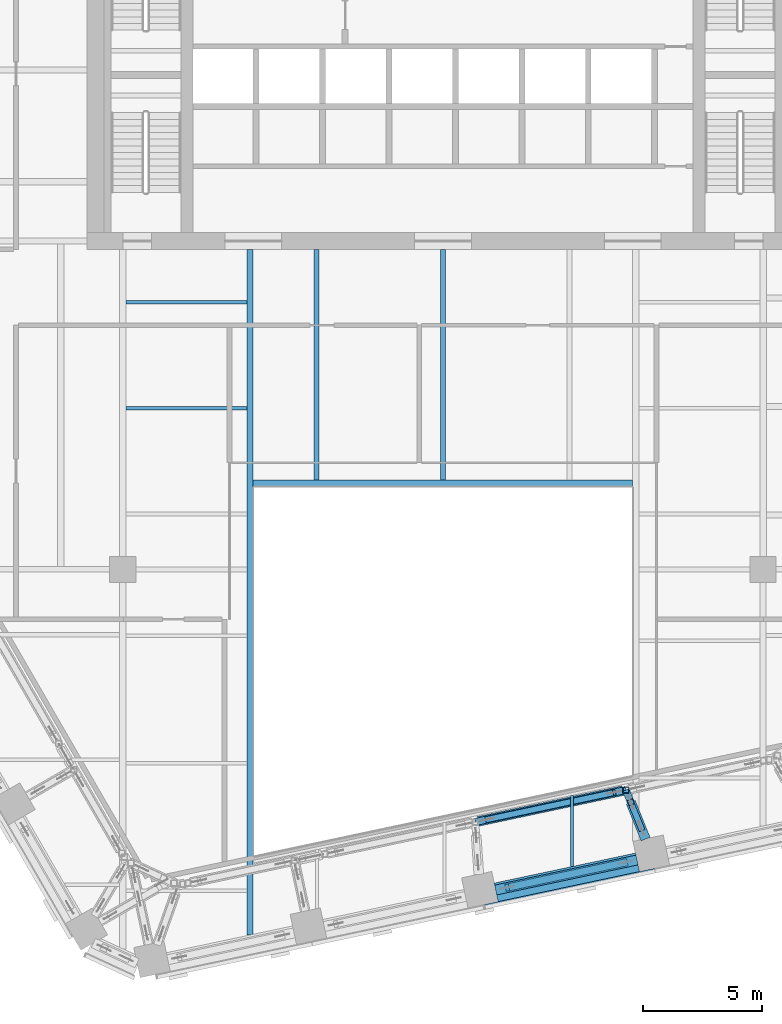
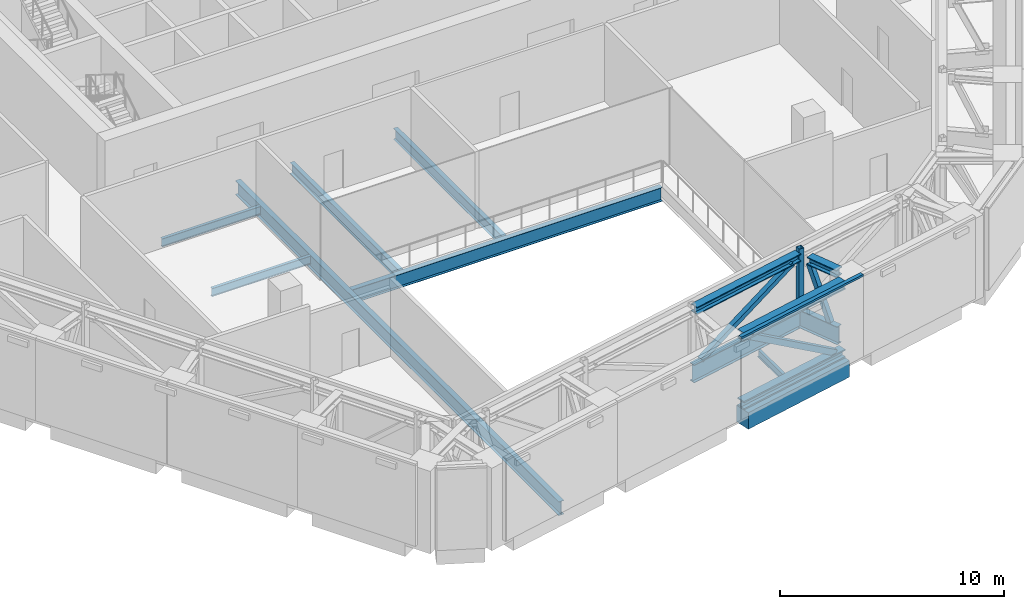
# One storey, part 5 of 26: 11 members, 8 beams, 1 element without a shape of its own.
"""IFC4 building model written with IfcOpenShell, lengths in metres."""

from ifc_helpers import new_model, si_unit, direction, frame, origin, origin_2d, place, context, subcontext, project, spatial, rectangle, hollow_rectangle, i_section, extrude, material, layer, layer_set, material_profile, profile_set, type_object, element, aggregate, save


model = new_model("IFC4")

# Units and contexts
model_context = context("Model", 3, precision=1e-05, world=origin(), true_north=direction((0.0, 1.0)))
body_context = subcontext(model_context, "Body", "Model", "MODEL_VIEW")
ifc_project = project(units=[si_unit("LENGTHUNIT", "METRE"), si_unit("AREAUNIT", "SQUARE_METRE"), si_unit("VOLUMEUNIT", "CUBIC_METRE"), si_unit("PLANEANGLEUNIT", "RADIAN"), si_unit("MASSUNIT", "GRAM", prefix="KILO")], contexts=[model_context])

# Site, building, storey
site_placement = place(None, origin())
site = spatial("IfcSite", under=ifc_project, at=site_placement, CompositionType="ELEMENT")
building_placement = place(site_placement, origin())
building = spatial("IfcBuilding", under=site, at=building_placement, Name="Isthmus Gate Tower", CompositionType="ELEMENT")
storey_placement = place(building_placement, frame((0.0, 0.0, 207.300048828125)))
storey = spatial("IfcBuildingStorey", under=building, at=storey_placement, Name="L52", CompositionType="ELEMENT", Elevation=207.300048828125)

# Members
ifc_material_1 = material(Name="Structural steel ASTM A913 Gr 65", Category="steel")
ifc_material_profile_1 = material_profile(ifc_material_1, i_section(OverallWidth=0.42236328125, OverallDepth=0.46337890625, WebThickness=0.04443359375, FlangeThickness=0.072998046875, at=origin_2d()), Name="W14X398")
ifc_profile_set_1 = profile_set([ifc_material_profile_1], Name="Structural steel ASTM A913 Gr 65")
member_type_1 = type_object("IfcMemberType", Name="BELT TRUSS CHORD W14X398", PredefinedType="CHORD", material=ifc_profile_set_1)
for number, where, z_axis, x_axis, name in (
    (1, (8.179443359375, -25.750244140625, 0.231689453125), (-0.978146012851, -0.207919161079, 0.0), (0.207919161079, -0.978146012851, 0.0), "str-belt12-L52-01"),
    (2, (8.179443359375, -25.750244140625, 3.96826171875), (-0.978146012851, -0.207919161079, 0.0), (0.207919161079, -0.978146012851, 0.0), "str-belt12-L52-02"),
):
    element("IfcMember", number, at=place(storey_placement, frame(where, z_axis=z_axis, x_axis=x_axis)), inside=storey, type_object=member_type_1, Name=name, PredefinedType="CHORD", context=body_context, shape_type="SweptSolid", body=[
        extrude(i_section(OverallWidth=0.42236328125, OverallDepth=0.46337890625, WebThickness=0.04443359375, FlangeThickness=0.072998046875, at=origin_2d()), origin(), (0.0, 0.0, 1.0), 6.090576171875),
    ])

# Curtain wall, member
ifc_material_2 = material(Name="Aluminium, pale champagne anodised", Category="aluminium")
ifc_layer = layer(ifc_material_2, 0.199951171875)
ifc_layer_set = layer_set([ifc_layer], Name="CW-2 LOUVRE CURTAIN WALL 200 DEEP")
curtain_wall_type = type_object("IfcCurtainWallType", Name="CW-2 LOUVRE CURTAIN WALL 200 DEEP", PredefinedType="NOTDEFINED", material=ifc_layer_set)
curtain_wall_placement = place(storey_placement, origin())
curtain_wall = element("IfcCurtainWall", 3, at=curtain_wall_placement, inside=storey, type_object=curtain_wall_type, Name="CW-2 S L52", PredefinedType="NOTDEFINED")
ifc_material_3 = material(Name="Aluminium, pale champagne anodised", Category="aluminium")
ifc_material_profile_2 = material_profile(ifc_material_3, rectangle(XDim=0.199951171875, YDim=0.110107421875, at=origin_2d()), Name="200x110")
ifc_profile_set_2 = profile_set([ifc_material_profile_2], Name="Aluminium, pale champagne anodised")
member_type_2 = type_object("IfcMemberType", Name="CW-2 TRANSOM 200 X 110", PredefinedType="USERDEFINED", material=ifc_profile_set_2)
member_1_placement = place(storey_placement, frame((1.76953125, -27.72607421875, 4.445068359375), z_axis=(0.978146152746, 0.207918502948, 0.0), x_axis=(-0.207918502948, 0.978146152746, 0.0)))
member_1 = element("IfcMember", 4, at=member_1_placement, type_object=member_type_2, Name="CW-2 transom", ObjectType="TRANSOM", PredefinedType="USERDEFINED", context=body_context, shape_type="SweptSolid", body=[
    extrude(rectangle(XDim=0.199951171875, YDim=0.110107421875, at=origin_2d()), origin(), (0.0, 0.0, 1.0), 7.33056640625),
])
aggregate(curtain_wall, [member_1])

# Beams
ifc_material_4 = material(Name="Concrete f'c 60 MPa", Category="concrete")
ifc_material_profile_3 = material_profile(ifc_material_4, rectangle(XDim=0.800048828125, YDim=0.89990234375, at=origin_2d()), Name="RC 800X900")
ifc_profile_set_3 = profile_set([ifc_material_profile_3], Name="Concrete f'c 60 MPa")
beam_type_1 = type_object("IfcBeamType", Name="RC SPANDREL 800 X 900", PredefinedType="SPANDREL", material=ifc_profile_set_3)
beam_1_placement = place(storey_placement, frame((8.2001953125, -25.84814453125, -0.449951171875), z_axis=(-0.978146012851, -0.207919161079, 0.0), x_axis=(0.207919161079, -0.978146012851, 0.0)))
element("IfcBeam", 5, at=beam_1_placement, inside=storey, type_object=beam_type_1, Name="str-spandrel-L52-12", PredefinedType="SPANDREL", context=body_context, shape_type="SweptSolid", body=[
    extrude(rectangle(XDim=0.800048828125, YDim=0.89990234375, at=origin_2d()), origin(), (0.0, 0.0, 1.0), 6.090576171875),
])
ifc_material_5 = material(Name="Structural steel ASTM A992 Gr 50", Category="steel")
ifc_material_profile_4 = material_profile(ifc_material_5, i_section(OverallWidth=0.1396484375, OverallDepth=0.4033203125, WebThickness=0.00634765625, FlangeThickness=0.010986328125, at=origin_2d()), Name="W16X31")
ifc_profile_set_4 = profile_set([ifc_material_profile_4], Name="Structural steel ASTM A992 Gr 50")
beam_type_2 = type_object("IfcBeamType", Name="STEEL FLOOR BEAM W16X31", PredefinedType="JOIST", material=ifc_profile_set_4)
beam_2_placement = place(storey_placement, frame((5.443115234375, -26.025146484375, -0.501708984375), z_axis=(0.0, 1.0, 0.0), x_axis=(-1.0, 0.0, 0.0)))
element("IfcBeam", 6, at=beam_2_placement, inside=storey, type_object=beam_type_2, Name="str-beam-L52-07-02", PredefinedType="JOIST", context=body_context, shape_type="SweptSolid", body=[
    extrude(i_section(OverallWidth=0.1396484375, OverallDepth=0.4033203125, WebThickness=0.00634765625, FlangeThickness=0.010986328125, at=origin_2d()), origin(), (0.0, 0.0, 1.0), 2.998779296875),
])
ifc_material_6 = material(Name="Structural steel ASTM A992 Gr 50", Category="steel")
ifc_material_profile_5 = material_profile(ifc_material_6, i_section(OverallWidth=0.15234375, OverallDepth=0.45068359375, WebThickness=0.0078125, FlangeThickness=0.010986328125, at=origin_2d()), Name="W18X35")
ifc_profile_set_5 = profile_set([ifc_material_profile_5], Name="Structural steel ASTM A992 Gr 50")
beam_type_3 = type_object("IfcBeamType", Name="STEEL FLOOR BEAM W18X35", PredefinedType="JOIST", material=ifc_profile_set_5)
for number, where, z_axis, x_axis, name in (
    (7, (-13.3681640625, -6.697509765625, -0.525390625), (1.0, 0.0, 0.0), (0.0, 1.0, 0.0), "str-beam-L52-04-01"),
    (8, (-13.3681640625, -2.232421875, -0.525390625), (1.0, 0.0, 0.0), (0.0, 1.0, 0.0), "str-beam-L52-04-02"),
):
    element("IfcBeam", number, at=place(storey_placement, frame(where, z_axis=z_axis, x_axis=x_axis)), inside=storey, type_object=beam_type_3, Name=name, PredefinedType="JOIST", context=body_context, shape_type="SweptSolid", body=[
        extrude(i_section(OverallWidth=0.15234375, OverallDepth=0.45068359375, WebThickness=0.0078125, FlangeThickness=0.010986328125, at=origin_2d()), origin(), (0.0, 0.0, 1.0), 5.1015625),
    ])
ifc_material_7 = material(Name="Structural steel ASTM A992 Gr 50", Category="steel")
ifc_material_profile_6 = material_profile(ifc_material_7, i_section(OverallWidth=0.228515625, OverallDepth=0.603271484375, WebThickness=0.010986328125, FlangeThickness=0.014404296875, at=origin_2d()), Name="W24X68")
ifc_profile_set_6 = profile_set([ifc_material_profile_6], Name="Structural steel ASTM A992 Gr 50")
beam_type_4 = type_object("IfcBeamType", Name="STEEL FLOOR BEAM W24X68", PredefinedType="JOIST", material=ifc_profile_set_6)
for number, where, z_axis, x_axis, name in (
    (9, (-5.333251953125, -9.7333984375, -0.6015625), (0.0, 1.0, 0.0), (-1.0, 0.0, 0.0), "str-beam-L52-06-00"),
    (10, (0.0, -9.7333984375, -0.6015625), (0.0, 1.0, 0.0), (-1.0, 0.0, 0.0), "str-beam-L52-06-01"),
):
    element("IfcBeam", number, at=place(storey_placement, frame(where, z_axis=z_axis, x_axis=x_axis)), inside=storey, type_object=beam_type_4, Name=name, PredefinedType="JOIST", context=body_context, shape_type="SweptSolid", body=[
        extrude(i_section(OverallWidth=0.228515625, OverallDepth=0.603271484375, WebThickness=0.010986328125, FlangeThickness=0.014404296875, at=origin_2d()), origin(), (0.0, 0.0, 1.0), 9.7333984375),
    ])
ifc_material_8 = material(Name="Structural steel ASTM A992 Gr 50", Category="steel")
ifc_material_profile_7 = material_profile(ifc_material_8, i_section(OverallWidth=0.2666015625, OverallDepth=0.7587890625, WebThickness=0.014404296875, FlangeThickness=0.01904296875, at=origin_2d()), Name="W30X108")
ifc_profile_set_7 = profile_set([ifc_material_profile_7], Name="Structural steel ASTM A992 Gr 50")
beam_type_5 = type_object("IfcBeamType", Name="STEEL TRIMMER W30X108", PredefinedType="BEAM", material=ifc_profile_set_7)
beam_3_placement = place(storey_placement, frame((-8.13330078125, 0.0, -0.679443359375), z_axis=(0.0, -1.0, 0.0), x_axis=(1.0, 0.0, 0.0)))
element("IfcBeam", 11, at=beam_3_placement, inside=storey, type_object=beam_type_5, Name="str-trimmer-L52-02", PredefinedType="BEAM", context=body_context, shape_type="SweptSolid", body=[
    extrude(i_section(OverallWidth=0.2666015625, OverallDepth=0.7587890625, WebThickness=0.014404296875, FlangeThickness=0.01904296875, at=origin_2d()), origin(), (0.0, 0.0, 1.0), 28.910888671875),
])
beam_4_placement = place(storey_placement, frame((8.0, -9.86669921875, -0.679443359375), z_axis=(-1.0, 0.0, 0.0), x_axis=(0.0, -1.0, 0.0)))
element("IfcBeam", 12, at=beam_4_placement, inside=storey, type_object=beam_type_5, Name="str-trimmer-L52-04", PredefinedType="BEAM", context=body_context, shape_type="SweptSolid", body=[
    extrude(i_section(OverallWidth=0.2666015625, OverallDepth=0.7587890625, WebThickness=0.014404296875, FlangeThickness=0.01904296875, at=origin_2d()), origin(), (0.0, 0.0, 1.0), 16.0),
])

# Members
ifc_material_9 = material(Name="Structural steel ASTM A913 Gr 65", Category="steel")
ifc_material_profile_8 = material_profile(ifc_material_9, i_section(OverallWidth=0.406494140625, OverallDepth=0.416015625, WebThickness=0.0302734375, FlangeThickness=0.047607421875, at=origin_2d()), Name="W14X257")
ifc_profile_set_8 = profile_set([ifc_material_profile_8], Name="Structural steel ASTM A913 Gr 65")
member_type_3 = type_object("IfcMemberType", Name="TRANSFER TRUSS CHORD W14X257", PredefinedType="CHORD", material=ifc_profile_set_8)
member_2_placement = place(storey_placement, frame((7.58544921875, -22.825439453125, 3.89208984375), z_axis=(-0.978149300771, -0.20790369261, 0.0), x_axis=(0.20790369261, -0.978149300771, 0.0)))
element("IfcMember", 13, at=member_2_placement, inside=storey, type_object=member_type_3, Name="str-ring05-L52-15", PredefinedType="CHORD", context=body_context, shape_type="SweptSolid", body=[
    extrude(i_section(OverallWidth=0.406494140625, OverallDepth=0.416015625, WebThickness=0.0302734375, FlangeThickness=0.047607421875, at=origin_2d()), origin(), (0.0, 0.0, 1.0), 6.23779296875),
])
member_3_placement = place(storey_placement, frame((8.54150390625, -24.865234375, 3.89208984375), z_axis=(-0.373432542314, 0.927657337782, 0.0), x_axis=(-0.927657337782, -0.373432542314, 0.0)))
element("IfcMember", 14, at=member_3_placement, inside=storey, type_object=member_type_3, Name="str-link18-L52-02", PredefinedType="CHORD", context=body_context, shape_type="SweptSolid", body=[
    extrude(i_section(OverallWidth=0.406494140625, OverallDepth=0.416015625, WebThickness=0.0302734375, FlangeThickness=0.047607421875, at=origin_2d()), origin(), (0.0, 0.0, 1.0), 1.669189453125),
])
ifc_material_10 = material(Name="Structural steel ASTM A913 Gr 65", Category="steel")
ifc_material_profile_9 = material_profile(ifc_material_10, i_section(OverallWidth=0.29833984375, OverallDepth=0.981201171875, WebThickness=0.015869140625, FlangeThickness=0.025390625, at=origin_2d()), Name="W40X167")
ifc_profile_set_9 = profile_set([ifc_material_profile_9], Name="Structural steel ASTM A913 Gr 65")
member_type_4 = type_object("IfcMemberType", Name="TRANSFER TRUSS CHORD W40X167", PredefinedType="CHORD", material=ifc_profile_set_9)
member_4_placement = place(storey_placement, frame((7.709716796875, -22.799072265625, 0.490478515625), z_axis=(-0.978152160015, -0.207890239929, 0.0), x_axis=(0.207890239929, -0.978152160015, 0.0)))
element("IfcMember", 15, at=member_4_placement, inside=storey, type_object=member_type_4, Name="str-ring05-L52-10", PredefinedType="CHORD", context=body_context, shape_type="SweptSolid", body=[
    extrude(i_section(OverallWidth=0.29833984375, OverallDepth=0.981201171875, WebThickness=0.015869140625, FlangeThickness=0.025390625, at=origin_2d()), origin(), (0.0, 0.0, 1.0), 6.491943359375),
])
member_5_placement = place(storey_placement, frame((8.54150390625, -24.865234375, 0.490478515625), z_axis=(-0.373317426667, 0.927703669792, 0.0), x_axis=(-0.927703669792, -0.373317426667, 0.0)))
element("IfcMember", 16, at=member_5_placement, inside=storey, type_object=member_type_4, Name="str-link18-L52-01", PredefinedType="CHORD", context=body_context, shape_type="SweptSolid", body=[
    extrude(i_section(OverallWidth=0.29833984375, OverallDepth=0.981201171875, WebThickness=0.015869140625, FlangeThickness=0.025390625, at=origin_2d()), origin(), (0.0, 0.0, 1.0), 2.2275390625),
])
ifc_material_11 = material(Name="Structural steel ASTM A500 Gr C", Category="steel")
ifc_material_profile_10 = material_profile(ifc_material_11, hollow_rectangle(XDim=0.25390625, YDim=0.25390625, WallThickness=0.01171875, at=origin_2d()), Name="HSS10X10X1/2")
ifc_profile_set_10 = profile_set([ifc_material_profile_10], Name="Structural steel ASTM A500 Gr C")
member_type_5 = type_object("IfcMemberType", Name="TRANSFER TRUSS DIAGONAL HSS10X10X1/2", PredefinedType="BRACE", material=ifc_profile_set_10)
member_6_placement = place(storey_placement, frame((1.8486328125, -24.044677734375, 0.98095703125), z_axis=(0.877608444086, 0.186537661016, 0.441596104932), x_axis=(-0.207907668048, 0.978148455791, 0.0)))
element("IfcMember", 17, at=member_6_placement, inside=storey, type_object=member_type_5, Name="str-ring05-L52-20", PredefinedType="BRACE", context=body_context, shape_type="SweptSolid", body=[
    extrude(hollow_rectangle(XDim=0.25390625, YDim=0.25390625, WallThickness=0.01171875, at=origin_2d()), origin(), (0.0, 0.0, 1.0), 6.121337890625),
])
member_7_placement = place(storey_placement, frame((8.354736328125, -24.401611328125, 0.98095703125), z_axis=(-0.14821653488, 0.36830316805, 0.917815142168), x_axis=(-0.927697056888, -0.37333385949, 0.0)))
element("IfcMember", 18, at=member_7_placement, inside=storey, type_object=member_type_5, Name="str-link18-L52-03", PredefinedType="BRACE", context=body_context, shape_type="SweptSolid", body=[
    extrude(hollow_rectangle(XDim=0.25390625, YDim=0.25390625, WallThickness=0.01171875, at=origin_2d()), origin(), (0.0, 0.0, 1.0), 2.945068359375),
])
ifc_material_12 = material(Name="Structural steel ASTM A500 Gr C", Category="steel")
ifc_material_profile_11 = material_profile(ifc_material_12, hollow_rectangle(XDim=0.25390625, YDim=0.25390625, WallThickness=0.01171875, at=origin_2d()), Name="HSS10X10X1/2")
ifc_profile_set_11 = profile_set([ifc_material_profile_11], Name="Structural steel ASTM A500 Gr C")
member_type_6 = type_object("IfcMemberType", Name="TRANSFER TRUSS POST HSS10X10X1/2", PredefinedType="POST", material=ifc_profile_set_11)
member_8_placement = place(storey_placement, frame((7.709716796875, -22.799072265625, 0.98095703125), z_axis=(0.0, 0.0, 1.0), x_axis=(1.0, 0.0, 0.0)))
element("IfcMember", 19, at=member_8_placement, inside=storey, type_object=member_type_6, Name="str-ring05-L52-03", PredefinedType="POST", context=body_context, shape_type="SweptSolid", body=[
    extrude(hollow_rectangle(XDim=0.25390625, YDim=0.25390625, WallThickness=0.01171875, at=origin_2d()), origin(), (0.0, 0.0, 1.0), 3.319091796875),
])
ifc_material_13 = material(Name="Structural steel ASTM A500 Gr C", Category="steel")
ifc_material_profile_12 = material_profile(ifc_material_13, hollow_rectangle(XDim=0.3046875, YDim=0.3046875, WallThickness=0.014892578125, at=origin_2d()), Name="HSS12X12X5/8")
ifc_profile_set_12 = profile_set([ifc_material_profile_12], Name="Structural steel ASTM A500 Gr C")
member_type_7 = type_object("IfcMemberType", Name="TRUSS DIAGONAL HSS12X12X5/8", PredefinedType="BRACE", material=ifc_profile_set_12)
member_9_placement = place(storey_placement, frame((7.6904296875, -25.854248046875, 0.46337890625), z_axis=(-0.822756069614, -0.174869953019, 0.54082617304), x_axis=(0.20789775869, -0.978150561995, 0.0)))
element("IfcMember", 20, at=member_9_placement, inside=storey, type_object=member_type_7, Name="str-belt12-L52-03", PredefinedType="BRACE", context=body_context, shape_type="SweptSolid", body=[
    extrude(hollow_rectangle(XDim=0.3046875, YDim=0.3046875, WallThickness=0.014892578125, at=origin_2d()), origin(), (0.0, 0.0, 1.0), 6.05224609375),
])

save(model, "model.ifc")
